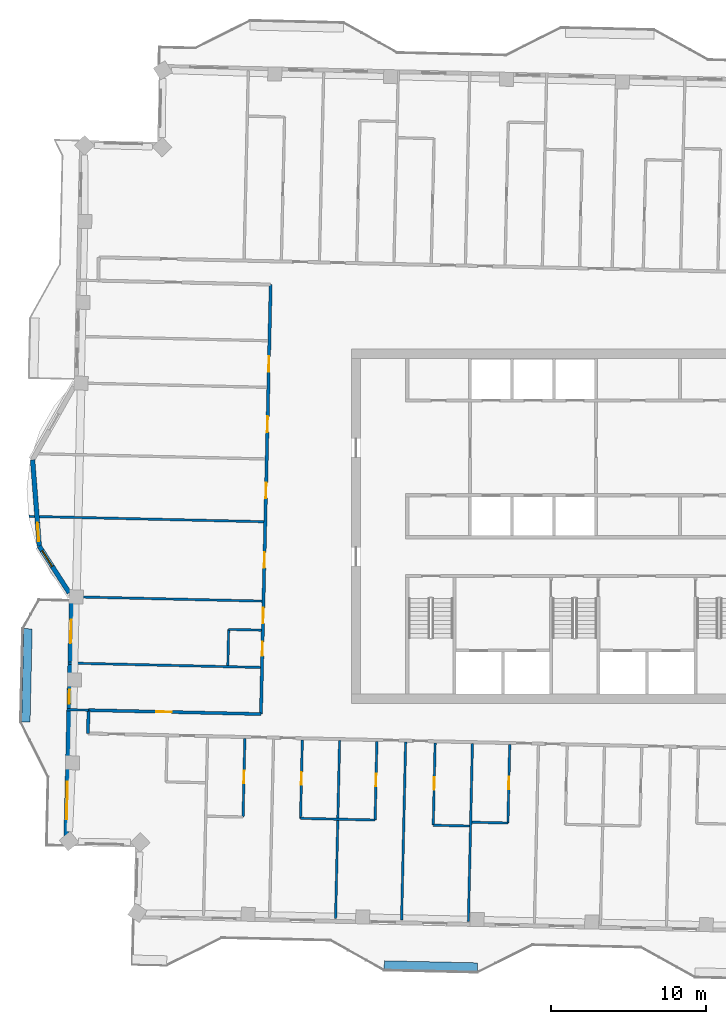
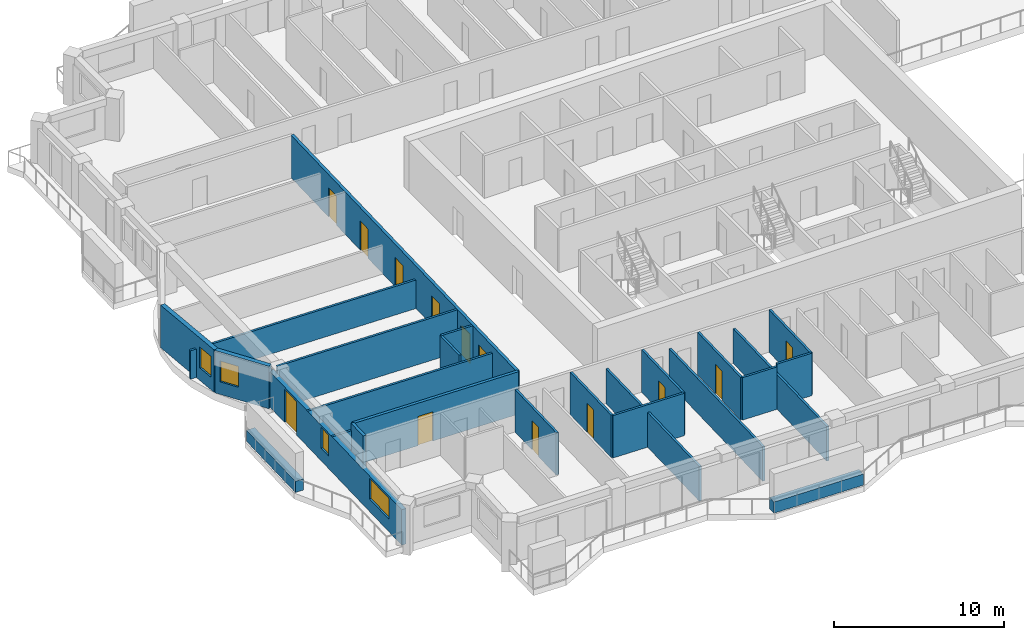
# One storey, part 4 of 15: 25 walls, 13 doors, 4 windows, 17 openings.
"""IFC4 building model written with IfcOpenShell, lengths in metres."""

import ifcopenshell
import ifcopenshell.guid

model = None  # the IFC model being written
_history = None  # IfcOwnerHistory: only IFC2X3 demands one
_inside = {}  # id of a spatial element -> (the spatial element, [elements in it])
_under = {}  # id of a project, library or spatial element -> (it, [spatial elements below it])
_declared = {}  # id of a project -> (the project, [libraries it declares])
_typed = {}  # id of a type object -> (the type object, [elements of that type])
_made_of = {}  # id of a material, layer set ... -> (it, [elements and type objects made of it])


def new_model(schema):
    """Start an empty IFC model of exactly this schema.

    Asked for "IFC4X3", IfcOpenShell would pick the latest addendum, in which some entities
    have other attributes; the version numbers below select the first issue.
    IFC2X3 requires an IfcOwnerHistory on every rooted entity: one is made here for all.
    """
    global model, _history
    if schema == "IFC4X3":
        model = ifcopenshell.file(schema_version=(4, 3, 0, 0))
    else:
        model = ifcopenshell.file(schema=schema)
    _inside.clear()
    _under.clear()
    _declared.clear()
    _typed.clear()
    _made_of.clear()
    _history = None
    if model.schema == "IFC2X3":
        org = make("IfcOrganization", Name="unknown")
        user = make(
            "IfcPersonAndOrganization",
            ThePerson=make("IfcPerson", FamilyName="unknown"),
            TheOrganization=org,
        )
        app = make(
            "IfcApplication",
            ApplicationDeveloper=org,
            Version="unknown",
            ApplicationFullName="unknown",
            ApplicationIdentifier="unknown",
        )
        _history = make(
            "IfcOwnerHistory",
            OwningUser=user,
            OwningApplication=app,
            ChangeAction="ADDED",
            CreationDate=0,
        )
    return model


def make(cls, **values):
    """One entity of the class cls with the attributes given. An attribute that is None is left unset."""
    return model.create_entity(
        cls, **{name: value for name, value in values.items() if value is not None}
    )


def rooted(cls, **values):
    """An entity with a GlobalId (a new one), such as an element, a storey or a relation."""
    return make(cls, GlobalId=ifcopenshell.guid.new(), OwnerHistory=_history, **values)


def si_unit(unit_type, name, prefix=None):
    """IfcSIUnit, for example si_unit("LENGTHUNIT", "METRE", prefix="MILLI")."""
    return make("IfcSIUnit", UnitType=unit_type, Prefix=prefix, Name=name)


def assignment(units):
    """IfcUnitAssignment: the units of a project."""
    return None if units is None else make("IfcUnitAssignment", Units=units)


def point(xyz):
    """IfcCartesianPoint."""
    return None if xyz is None else make("IfcCartesianPoint", Coordinates=xyz)


def direction(xyz):
    """IfcDirection."""
    return None if xyz is None else make("IfcDirection", DirectionRatios=xyz)


def frame(location, z_axis=None, x_axis=None):
    """IfcAxis2Placement3D, a coordinate frame: its origin and axes. An axis left out is left unset."""
    return make(
        "IfcAxis2Placement3D",
        Location=point(location),
        Axis=direction(z_axis),
        RefDirection=direction(x_axis),
    )


def frame_2d(location, x_axis=None):
    """IfcAxis2Placement2D, a coordinate frame in the plane: its origin and x axis."""
    return make(
        "IfcAxis2Placement2D", Location=point(location), RefDirection=direction(x_axis)
    )


def origin():
    """The frame at (0, 0, 0) with its axes left unset."""
    return frame((0.0, 0.0, 0.0))


def place(relative_to, where):
    """IfcLocalPlacement: puts the frame where relative to a parent placement (None: the world)."""
    return make(
        "IfcLocalPlacement", PlacementRelTo=relative_to, RelativePlacement=where
    )


def context(
    kind, dimensions, precision=None, world=None, true_north=None, identifier=None
):
    """IfcGeometricRepresentationContext, for example the 3D "Model" context."""
    return make(
        "IfcGeometricRepresentationContext",
        ContextIdentifier=identifier,
        ContextType=kind,
        CoordinateSpaceDimension=dimensions,
        Precision=precision,
        WorldCoordinateSystem=world,
        TrueNorth=true_north,
    )


def subcontext(parent, identifier, kind, view, scale=None):
    """IfcGeometricRepresentationSubContext, for example "Body" below "Model"."""
    return make(
        "IfcGeometricRepresentationSubContext",
        ContextIdentifier=identifier,
        ContextType=kind,
        ParentContext=parent,
        TargetScale=scale,
        TargetView=view,
    )


def project(units=None, contexts=None):
    """IfcProject with its units and contexts."""
    return rooted(
        "IfcProject",
        Name="project",
        RepresentationContexts=contexts,
        UnitsInContext=assignment(units),
    )


def spatial(cls, under=None, at=None, **own):
    """A site, building, storey or space (cls), placed at a placement, below another one or the project."""
    s = rooted(cls, ObjectPlacement=at, **own)
    if under is not None:
        _under.setdefault(under.id(), (under, []))[1].append(s)
    return s


def profile(cls, at=None, kind="AREA", **sizes):
    """A parametric profile (cls). Its sizes go by their IFC names, for example OverallWidth=200.0."""
    return make(cls, ProfileType=kind, Position=at, **sizes)


def rectangle(**sizes):
    """IfcRectangleProfileDef."""
    return profile("IfcRectangleProfileDef", **sizes)


def extrude(swept, where, along, depth):
    """IfcExtrudedAreaSolid: the profile swept, set in the frame where, extruded along a direction by depth."""
    return make(
        "IfcExtrudedAreaSolid",
        SweptArea=swept,
        Position=where,
        ExtrudedDirection=direction(along),
        Depth=depth,
    )


def shape(context_of_items, identifier, shape_type, items):
    """IfcShapeRepresentation: the items that make up one representation, for example the "Body"."""
    return make(
        "IfcShapeRepresentation",
        ContextOfItems=context_of_items,
        RepresentationIdentifier=identifier,
        RepresentationType=shape_type,
        Items=items,
    )


def material(Name=None, Category=None):
    """IfcMaterial."""
    return make("IfcMaterial", Name=Name, Category=Category)


def layer(
    of_material, thickness, ventilated=None, Name=None, Category=None, Priority=None
):
    """IfcMaterialLayer: one layer of a wall or slab, of a material (None: an air gap)."""
    return make(
        "IfcMaterialLayer",
        Material=of_material,
        LayerThickness=thickness,
        IsVentilated=ventilated,
        Name=Name,
        Category=Category,
        Priority=Priority,
    )


def layer_set(layers, Name=None):
    """IfcMaterialLayerSet."""
    return make("IfcMaterialLayerSet", MaterialLayers=layers, LayerSetName=Name)


def made_of(thing, what):
    """Note that an element or type object is made of a material, layer set ...; save() writes the relation."""
    if what is not None:
        _made_of.setdefault(what.id(), (what, []))[1].append(thing)
    return thing


def type_object(cls, material=None, **own):
    """A type object (cls), such as IfcWallType, which elements share."""
    return made_of(rooted(cls, **own), material)


def element(
    cls,
    number,
    at=None,
    inside=None,
    cuts=None,
    type_object=None,
    material=None,
    context=None,
    identifier="Body",
    shape_type=None,
    held_by="IfcProductDefinitionShape",
    body=None,
    shapes=None,
    **own,
):
    """One element of the class cls, such as IfcWall. Its Tag is "e" and its number.

    at: its placement. inside: the storey or other place that contains it. cuts: it is an
    opening in that element (IfcRelVoidsElement). A single representation is given by context,
    identifier, shape_type and body (its items); several are given by shapes. held_by: the class
    of the entity that holds the representations. save() writes the other relations.
    """
    e = rooted(cls, Tag="e%d" % number, ObjectPlacement=at, **own)
    if body is not None:
        shapes = [shape(context, identifier, shape_type, body)]
    if shapes is not None:
        e.Representation = make(held_by, Representations=shapes)
    if inside is not None:
        _inside.setdefault(inside.id(), (inside, []))[1].append(e)
    if cuts is not None:
        rooted(
            "IfcRelVoidsElement", RelatingBuildingElement=cuts, RelatedOpeningElement=e
        )
    if type_object is not None:
        _typed.setdefault(type_object.id(), (type_object, []))[1].append(e)
    return made_of(e, material)


def fill(opening, filler):
    """IfcRelFillsElement: the door or window that sits in an opening."""
    return rooted(
        "IfcRelFillsElement",
        RelatingOpeningElement=opening,
        RelatedBuildingElement=filler,
    )


def aggregate(whole, parts):
    """IfcRelAggregates: a whole, such as a stair, and the parts it consists of."""
    return rooted("IfcRelAggregates", RelatingObject=whole, RelatedObjects=parts)


def save(model, path):
    """Write the relations noted so far, then the file.

    IfcRelAggregates (storeys below a building ...), IfcRelContainedInSpatialStructure (elements
    in a storey), IfcRelDefinesByType, IfcRelAssociatesMaterial and IfcRelDeclares: one each for
    every whole, place, type object, material and project.
    """
    for whole, parts in _under.values():
        aggregate(whole, parts)
    for where, things in _inside.values():
        rooted(
            "IfcRelContainedInSpatialStructure",
            RelatedElements=things,
            RelatingStructure=where,
        )
    for kind, things in _typed.values():
        rooted("IfcRelDefinesByType", RelatedObjects=things, RelatingType=kind)
    for what, things in _made_of.values():
        rooted("IfcRelAssociatesMaterial", RelatedObjects=things, RelatingMaterial=what)
    for by, libraries in _declared.values():
        rooted("IfcRelDeclares", RelatingContext=by, RelatedDefinitions=libraries)
    model.write(path)


model = new_model("IFC4")

# Units and contexts
model_context = context("Model", 3, precision=1e-05, world=origin(), true_north=direction((0.0, 1.0)))
body_context = subcontext(model_context, "Body", "Model", "MODEL_VIEW")
ifc_project = project(units=[si_unit("LENGTHUNIT", "METRE"), si_unit("AREAUNIT", "SQUARE_METRE"), si_unit("VOLUMEUNIT", "CUBIC_METRE"), si_unit("PLANEANGLEUNIT", "RADIAN"), si_unit("MASSUNIT", "GRAM", prefix="KILO")], contexts=[model_context])

# Site, building, storey
site_placement = place(None, origin())
site = spatial("IfcSite", under=ifc_project, at=site_placement, CompositionType="ELEMENT")
building_placement = place(site_placement, origin())
building = spatial("IfcBuilding", under=site, at=building_placement, Name="Mangrove Gate Tower", CompositionType="ELEMENT")
storey_placement = place(building_placement, frame((0.0, 0.0, 309.699951171875)))
storey = spatial("IfcBuildingStorey", under=building, at=storey_placement, Name="L79", CompositionType="ELEMENT", Elevation=309.699951171875)

# Wall
ifc_material_1 = material(Name="Gypsum board on steel stud, EI 60", Category="steel")
ifc_layer_1 = layer(ifc_material_1, 0.199951171875)
ifc_layer_set_1 = layer_set([ifc_layer_1], Name="Corridor wall EI 60")
wall_type_1 = type_object("IfcWallType", Name="Corridor wall EI 60", PredefinedType="PARTITIONING", material=ifc_layer_set_1)
wall_1_placement = place(storey_placement, frame((-31.346923828125, -13.3291015625, 0.0), z_axis=(0.0, 0.0, 1.0), x_axis=(0.022617910375, 0.999744182344, 0.0)))
element("IfcWall", 1, at=wall_1_placement, inside=storey, type_object=wall_type_1, Name="WALL-L79-035", PredefinedType="PARTITIONING", context=body_context, shape_type="SweptSolid", body=[
    extrude(rectangle(XDim=1.50048828125, YDim=0.199951171875, at=frame_2d((0.750244140625, 0.0))), origin(), (0.0, 0.0, 1.0), 3.050048828125),
])

# Wall, opening, door
wall_2_placement = place(storey_placement, frame((-31.31298828125, -11.8291015625, 0.0), z_axis=(0.0, 0.0, 1.0), x_axis=(0.999742346277, -0.022698921993, 0.0)))
wall_2 = element("IfcWall", 2, at=wall_2_placement, inside=storey, type_object=wall_type_1, Name="WALL-L79-038", PredefinedType="PARTITIONING", context=body_context, shape_type="SweptSolid", body=[
    extrude(rectangle(XDim=11.099853515625, YDim=0.199951171875, at=frame_2d((5.5498046875, 0.0))), origin(), (0.0, 0.0, 1.0), 3.050048828125),
])
opening_1_placement = place(wall_2_placement, frame((4.35009765625, 0.0, 0.0)))
opening_1 = element("IfcOpeningElement", 3, at=opening_1_placement, cuts=wall_2, Name="Opening AD", PredefinedType="OPENING", context=body_context, shape_type="SweptSolid", body=[
    extrude(rectangle(XDim=1.0, YDim=2.10009765625, at=frame_2d((0.5, 1.050048828125))), frame((0.0, 0.10986328125, 0.0), z_axis=(0.0, -1.0, 0.0), x_axis=(1.0, 0.0, 0.0)), (0.0, 0.0, 1.0), 0.219970703125),
])
ifc_material_2 = material(Name="Timber door leaf", Category="wood")
door_type_1 = type_object("IfcDoorType", Name="Amenity door 1000", OperationType="SINGLE_SWING_LEFT", PredefinedType="DOOR", material=ifc_material_2)
door_1_placement = place(opening_1_placement, origin())
door_1 = element("IfcDoor", 4, at=door_1_placement, inside=storey, type_object=door_type_1, Name="DOOR-L79-STU-c5b", OperationType="SINGLE_SWING_LEFT", OverallHeight=2.10009765625, OverallWidth=1.0, PredefinedType="DOOR", context=body_context, shape_type="SweptSolid", body=[
    extrude(rectangle(XDim=1.0, YDim=2.10009765625, at=frame_2d((0.5, 1.050048828125))), frame((0.0, 0.02490234375, 0.0), z_axis=(0.0, -1.0, 0.0), x_axis=(1.0, 0.0, 0.0)), (0.0, 0.0, 1.0), 0.050048828125),
])
fill(opening_1, door_1)

# Wall, openings, doors
wall_3_placement = place(storey_placement, frame((-20.216064453125, -12.0810546875, 0.0), z_axis=(0.0, 0.0, 1.0), x_axis=(0.02267447203, 0.999742901109, 0.0)))
wall_3 = element("IfcWall", 5, at=wall_3_placement, inside=storey, type_object=wall_type_1, Name="WALL-L79-039", PredefinedType="PARTITIONING", context=body_context, shape_type="SweptSolid", body=[
    extrude(rectangle(XDim=27.650146484375, YDim=0.199951171875, at=frame_2d((13.8251953125, 0.0))), origin(), (0.0, 0.0, 1.0), 3.050048828125),
])
opening_2_placement = place(wall_3_placement, frame((22.02490234375, 0.0, 0.0)))
opening_2 = element("IfcOpeningElement", 6, at=opening_2_placement, cuts=wall_3, Name="Opening AD", PredefinedType="OPENING", context=body_context, shape_type="SweptSolid", body=[
    extrude(rectangle(XDim=1.0, YDim=2.10009765625, at=frame_2d((0.5, 1.050048828125))), frame((0.0, 0.10986328125, 0.0), z_axis=(0.0, -1.0, 0.0), x_axis=(1.0, 0.0, 0.0)), (0.0, 0.0, 1.0), 0.219970703125),
])
opening_3_placement = place(wall_3_placement, frame((18.155029296875, 0.0, 0.0)))
opening_3 = element("IfcOpeningElement", 7, at=opening_3_placement, cuts=wall_3, Name="Opening AD", PredefinedType="OPENING", context=body_context, shape_type="SweptSolid", body=[
    extrude(rectangle(XDim=1.0, YDim=2.10009765625, at=frame_2d((0.5, 1.050048828125))), frame((0.0, 0.10986328125, 0.0), z_axis=(0.0, -1.0, 0.0), x_axis=(1.0, 0.0, 0.0)), (0.0, 0.0, 1.0), 0.219970703125),
])
opening_4_placement = place(wall_3_placement, frame((13.89794921875, 0.0, 0.0)))
opening_4 = element("IfcOpeningElement", 8, at=opening_4_placement, cuts=wall_3, Name="Opening AD", PredefinedType="OPENING", context=body_context, shape_type="SweptSolid", body=[
    extrude(rectangle(XDim=1.0, YDim=2.10009765625, at=frame_2d((0.5, 1.050048828125))), frame((0.0, 0.10986328125, 0.0), z_axis=(0.0, -1.0, 0.0), x_axis=(1.0, 0.0, 0.0)), (0.0, 0.0, 1.0), 0.219970703125),
])
opening_5_placement = place(wall_3_placement, frame((9.405029296875, 0.0, 0.0)))
opening_5 = element("IfcOpeningElement", 9, at=opening_5_placement, cuts=wall_3, Name="Opening AD", PredefinedType="OPENING", context=body_context, shape_type="SweptSolid", body=[
    extrude(rectangle(XDim=1.0, YDim=2.10009765625, at=frame_2d((0.5, 1.050048828125))), frame((0.0, 0.10986328125, 0.0), z_axis=(0.0, -1.0, 0.0), x_axis=(1.0, 0.0, 0.0)), (0.0, 0.0, 1.0), 0.219970703125),
])
opening_6_placement = place(wall_3_placement, frame((5.8369140625, 0.0, 0.0)))
opening_6 = element("IfcOpeningElement", 10, at=opening_6_placement, cuts=wall_3, Name="Opening AD", PredefinedType="OPENING", context=body_context, shape_type="SweptSolid", body=[
    extrude(rectangle(XDim=1.0, YDim=2.10009765625, at=frame_2d((0.5, 1.050048828125))), frame((0.0, 0.10986328125, 0.0), z_axis=(0.0, -1.0, 0.0), x_axis=(1.0, 0.0, 0.0)), (0.0, 0.0, 1.0), 0.219970703125),
])
opening_7_placement = place(wall_3_placement, frame((3.75, 0.0, 0.0)))
opening_7 = element("IfcOpeningElement", 11, at=opening_7_placement, cuts=wall_3, Name="Opening SD", PredefinedType="OPENING", context=body_context, shape_type="SweptSolid", body=[
    extrude(rectangle(XDim=0.89990234375, YDim=2.10009765625, at=frame_2d((0.449951171875, 1.050048828125))), frame((0.0, 0.10986328125, 0.0), z_axis=(0.0, -1.0, 0.0), x_axis=(1.0, 0.0, 0.0)), (0.0, 0.0, 1.0), 0.219970703125),
])
door_2_placement = place(opening_2_placement, origin())
door_2 = element("IfcDoor", 12, at=door_2_placement, inside=storey, type_object=door_type_1, Name="DOOR-L79-STU-c5a", OperationType="SINGLE_SWING_RIGHT", OverallHeight=2.10009765625, OverallWidth=1.0, PredefinedType="DOOR", context=body_context, shape_type="SweptSolid", body=[
    extrude(rectangle(XDim=1.0, YDim=2.10009765625, at=frame_2d((0.5, 1.050048828125))), frame((0.0, 0.02490234375, 0.0), z_axis=(0.0, -1.0, 0.0), x_axis=(1.0, 0.0, 0.0)), (0.0, 0.0, 1.0), 0.050048828125),
])
fill(opening_2, door_2)
door_3_placement = place(opening_3_placement, origin())
door_3 = element("IfcDoor", 13, at=door_3_placement, inside=storey, type_object=door_type_1, Name="DOOR-L79-KIT-c5c", OperationType="SINGLE_SWING_LEFT", OverallHeight=2.10009765625, OverallWidth=1.0, PredefinedType="DOOR", context=body_context, shape_type="SweptSolid", body=[
    extrude(rectangle(XDim=1.0, YDim=2.10009765625, at=frame_2d((0.5, 1.050048828125))), frame((0.0, 0.02490234375, 0.0), z_axis=(0.0, -1.0, 0.0), x_axis=(1.0, 0.0, 0.0)), (0.0, 0.0, 1.0), 0.050048828125),
])
fill(opening_3, door_3)
door_4_placement = place(opening_4_placement, origin())
door_4 = element("IfcDoor", 14, at=door_4_placement, inside=storey, type_object=door_type_1, Name="DOOR-L79-KIT-c5d", OperationType="SINGLE_SWING_RIGHT", OverallHeight=2.10009765625, OverallWidth=1.0, PredefinedType="DOOR", context=body_context, shape_type="SweptSolid", body=[
    extrude(rectangle(XDim=1.0, YDim=2.10009765625, at=frame_2d((0.5, 1.050048828125))), frame((0.0, 0.02490234375, 0.0), z_axis=(0.0, -1.0, 0.0), x_axis=(1.0, 0.0, 0.0)), (0.0, 0.0, 1.0), 0.050048828125),
])
fill(opening_4, door_4)
door_5_placement = place(opening_5_placement, origin())
door_5 = element("IfcDoor", 15, at=door_5_placement, inside=storey, type_object=door_type_1, Name="DOOR-L79-LNG-c5a", OperationType="SINGLE_SWING_LEFT", OverallHeight=2.10009765625, OverallWidth=1.0, PredefinedType="DOOR", context=body_context, shape_type="SweptSolid", body=[
    extrude(rectangle(XDim=1.0, YDim=2.10009765625, at=frame_2d((0.5, 1.050048828125))), frame((0.0, 0.02490234375, 0.0), z_axis=(0.0, -1.0, 0.0), x_axis=(1.0, 0.0, 0.0)), (0.0, 0.0, 1.0), 0.050048828125),
])
fill(opening_5, door_5)
door_6_placement = place(opening_6_placement, origin())
door_6 = element("IfcDoor", 16, at=door_6_placement, inside=storey, type_object=door_type_1, Name="DOOR-L79-KIT-c5e", OperationType="SINGLE_SWING_RIGHT", OverallHeight=2.10009765625, OverallWidth=1.0, PredefinedType="DOOR", context=body_context, shape_type="SweptSolid", body=[
    extrude(rectangle(XDim=1.0, YDim=2.10009765625, at=frame_2d((0.5, 1.050048828125))), frame((0.0, 0.02490234375, 0.0), z_axis=(0.0, -1.0, 0.0), x_axis=(1.0, 0.0, 0.0)), (0.0, 0.0, 1.0), 0.050048828125),
])
fill(opening_6, door_6)
ifc_material_3 = material(Name="Timber door leaf", Category="wood")
door_type_2 = type_object("IfcDoorType", Name="Service room door 900", OperationType="SINGLE_SWING_LEFT", PredefinedType="DOOR", material=ifc_material_3)
door_7_placement = place(opening_7_placement, origin())
door_7 = element("IfcDoor", 17, at=door_7_placement, inside=storey, type_object=door_type_2, Name="DOOR-L79-LIN-c5a", OperationType="SINGLE_SWING_LEFT", OverallHeight=2.10009765625, OverallWidth=0.89990234375, PredefinedType="DOOR", context=body_context, shape_type="SweptSolid", body=[
    extrude(rectangle(XDim=0.89990234375, YDim=2.10009765625, at=frame_2d((0.449951171875, 1.050048828125))), frame((0.0, 0.02490234375, 0.0), z_axis=(0.0, -1.0, 0.0), x_axis=(1.0, 0.0, 0.0)), (0.0, 0.0, 1.0), 0.050048828125),
])
fill(opening_7, door_7)

# Wall, opening, window
ifc_material_4 = material(Name="Limestone", Category="masonry")
ifc_layer_2 = layer(ifc_material_4, 0.0400390625, Name="Limestone cladding")
ifc_material_5 = material(Name="Ventilated air gap")
ifc_layer_3 = layer(ifc_material_5, 0.0400390625, Name="Ventilated cavity")
ifc_material_6 = material(Name="Mineral wool insulation")
ifc_layer_4 = layer(ifc_material_6, 0.06005859375, Name="Insulation")
ifc_material_7 = material(Name="Breather membrane")
ifc_layer_5 = layer(ifc_material_7, 0.001953125, Name="Breather membrane")
ifc_material_8 = material(Name="Concrete C20/25 blockwork", Category="masonry")
ifc_layer_6 = layer(ifc_material_8, 0.14990234375, Name="Blockwork backing wall")
ifc_material_9 = material(Name="Gypsum plaster")
ifc_layer_7 = layer(ifc_material_9, 0.008056640625, Name="Internal plaster")
ifc_layer_set_2 = layer_set([ifc_layer_2, ifc_layer_3, ifc_layer_4, ifc_layer_5, ifc_layer_6, ifc_layer_7], Name="External wall 300 limestone cladding")
wall_type_2 = type_object("IfcWallType", Name="External wall 300 limestone cladding", PredefinedType="SOLIDWALL", material=ifc_layer_set_2)
wall_4_placement = place(storey_placement, frame((-34.910888671875, 4.280029296875, 0.0), z_axis=(0.0, 0.0, 1.0), x_axis=(0.077135284219, -0.997020635658, 0.0)))
wall_4 = element("IfcWall", 18, at=wall_4_placement, inside=storey, type_object=wall_type_2, Name="WALL-L79-W9f2", PredefinedType="SOLIDWALL", context=body_context, shape_type="SweptSolid", body=[
    extrude(rectangle(XDim=5.57373046875, YDim=0.300048828125, at=frame_2d((2.786865234375, 0.0))), origin(), (0.0, 0.0, 1.0), 3.050048828125),
])
opening_8_placement = place(wall_4_placement, frame((4.05810546875, 0.0, 0.89990234375)))
opening_8 = element("IfcOpeningElement", 19, at=opening_8_placement, cuts=wall_4, Name="Opening W1", PredefinedType="OPENING", context=body_context, shape_type="SweptSolid", body=[
    extrude(rectangle(XDim=1.199951171875, YDim=1.5, at=frame_2d((0.60009765625, 0.75))), frame((0.0, 0.159912109375, 0.0), z_axis=(0.0, -1.0, 0.0), x_axis=(1.0, 0.0, 0.0)), (0.0, 0.0, 1.0), 0.320068359375),
])
ifc_material_10 = material(Name="Aluminium frame with double-glazed low-e glass", Category="aluminium")
window_type_1 = type_object("IfcWindowType", Name="Side lite 1200x1500", PartitioningType="SINGLE_PANEL", PredefinedType="WINDOW", material=ifc_material_10)
window_1_placement = place(opening_8_placement, origin())
window_1 = element("IfcWindow", 20, at=window_1_placement, inside=storey, type_object=window_type_1, Name="WIN-L79-W9f2", OverallHeight=1.5, OverallWidth=1.199951171875, PartitioningType="SINGLE_PANEL", PredefinedType="WINDOW", context=body_context, shape_type="SweptSolid", body=[
    extrude(rectangle(XDim=1.199951171875, YDim=1.5, at=frame_2d((0.60009765625, 0.75))), frame((0.0, 0.030029296875, 0.0), z_axis=(0.0, -1.0, 0.0), x_axis=(1.0, 0.0, 0.0)), (0.0, 0.0, 1.0), 0.06005859375),
])
fill(opening_8, window_1)

wall_5_placement = place(storey_placement, frame((-34.48095703125, -1.277099609375, 0.0), z_axis=(0.0, 0.0, 1.0), x_axis=(0.540460234606, -0.841369558999, 0.0)))
wall_5 = element("IfcWall", 21, at=wall_5_placement, inside=storey, type_object=wall_type_2, Name="WALL-L79-W9f3", PredefinedType="SOLIDWALL", context=body_context, shape_type="SweptSolid", body=[
    extrude(rectangle(XDim=3.569091796875, YDim=0.300048828125, at=frame_2d((1.78466796875, 0.0))), origin(), (0.0, 0.0, 1.0), 3.050048828125),
])
opening_9_placement = place(wall_5_placement, frame((0.337890625, 0.0, 0.89990234375)))
opening_9 = element("IfcOpeningElement", 22, at=opening_9_placement, cuts=wall_5, Name="Opening W1", PredefinedType="OPENING", context=body_context, shape_type="SweptSolid", body=[
    extrude(rectangle(XDim=1.199951171875, YDim=1.5, at=frame_2d((0.60009765625, 0.75))), frame((0.0, 0.159912109375, 0.0), z_axis=(0.0, -1.0, 0.0), x_axis=(1.0, 0.0, 0.0)), (0.0, 0.0, 1.0), 0.320068359375),
])
window_2_placement = place(opening_9_placement, origin())
window_2 = element("IfcWindow", 23, at=window_2_placement, inside=storey, type_object=window_type_1, Name="WIN-L79-W9f3", OverallHeight=1.5, OverallWidth=1.199951171875, PartitioningType="SINGLE_PANEL", PredefinedType="WINDOW", context=body_context, shape_type="SweptSolid", body=[
    extrude(rectangle(XDim=1.199951171875, YDim=1.5, at=frame_2d((0.60009765625, 0.75))), frame((0.0, 0.030029296875, 0.0), z_axis=(0.0, -1.0, 0.0), x_axis=(1.0, 0.0, 0.0)), (0.0, 0.0, 1.0), 0.06005859375),
])
fill(opening_9, window_2)

# Wall, openings, door, windows
wall_6_placement = place(storey_placement, frame((-32.387939453125, -4.0791015625, 0.0), z_axis=(0.0, 0.0, 1.0), x_axis=(-0.022673163436, -0.999742930788, 0.0)))
wall_6 = element("IfcWall", 24, at=wall_6_placement, inside=storey, type_object=wall_type_2, Name="WALL-L79-W10s1", PredefinedType="SOLIDWALL", context=body_context, shape_type="SweptSolid", body=[
    extrude(rectangle(XDim=16.323974609375, YDim=0.300048828125, at=frame_2d((8.162109375, 0.0))), origin(), (0.0, 0.0, 1.0), 2.550048828125),
])
opening_10_placement = place(wall_6_placement, frame((1.93701171875, 0.0, 0.0)))
opening_10 = element("IfcOpeningElement", 25, at=opening_10_placement, cuts=wall_6, Name="Opening BD1", PredefinedType="OPENING", context=body_context, shape_type="SweptSolid", body=[
    extrude(rectangle(XDim=1.5, YDim=2.39990234375, at=frame_2d((0.75, 1.199951171875))), frame((0.0, 0.159912109375, 0.0), z_axis=(0.0, -1.0, 0.0), x_axis=(1.0, 0.0, 0.0)), (0.0, 0.0, 1.0), 0.320068359375),
])
opening_11_placement = place(wall_6_placement, frame((6.43310546875, 0.0, 0.89990234375)))
opening_11 = element("IfcOpeningElement", 26, at=opening_11_placement, cuts=wall_6, Name="Opening W5", PredefinedType="OPENING", context=body_context, shape_type="SweptSolid", body=[
    extrude(rectangle(XDim=0.89990234375, YDim=1.5, at=frame_2d((0.449951171875, 0.75))), frame((0.0, 0.159912109375, 0.0), z_axis=(0.0, -1.0, 0.0), x_axis=(1.0, 0.0, 0.0)), (0.0, 0.0, 1.0), 0.320068359375),
])
opening_12_placement = place(wall_6_placement, frame((12.364013671875, 0.0, 0.89990234375)))
opening_12 = element("IfcOpeningElement", 27, at=opening_12_placement, cuts=wall_6, Name="Opening W2", PredefinedType="OPENING", context=body_context, shape_type="SweptSolid", body=[
    extrude(rectangle(XDim=2.39990234375, YDim=1.5, at=frame_2d((1.199951171875, 0.75))), frame((0.0, 0.159912109375, 0.0), z_axis=(0.0, -1.0, 0.0), x_axis=(1.0, 0.0, 0.0)), (0.0, 0.0, 1.0), 0.320068359375),
])
ifc_material_11 = material(Name="Aluminium frame with laminated clear glass", Category="aluminium")
door_type_3 = type_object("IfcDoorType", Name="Balcony sliding door 1500x2400", OperationType="SLIDING_TO_LEFT", PredefinedType="DOOR", material=ifc_material_11)
door_8_placement = place(opening_10_placement, origin())
door_8 = element("IfcDoor", 28, at=door_8_placement, inside=storey, type_object=door_type_3, Name="DOOR-L79-W10-1", OperationType="SLIDING_TO_LEFT", OverallHeight=2.39990234375, OverallWidth=1.5, PredefinedType="DOOR", context=body_context, shape_type="SweptSolid", body=[
    extrude(rectangle(XDim=1.5, YDim=2.39990234375, at=frame_2d((0.75, 1.199951171875))), frame((0.0, 0.02490234375, 0.0), z_axis=(0.0, -1.0, 0.0), x_axis=(1.0, 0.0, 0.0)), (0.0, 0.0, 1.0), 0.050048828125),
])
fill(opening_10, door_8)
ifc_material_12 = material(Name="Aluminium frame with double-glazed low-e glass", Category="aluminium")
window_type_2 = type_object("IfcWindowType", Name="Corner room window 2400x1500", PartitioningType="DOUBLE_PANEL_VERTICAL", PredefinedType="WINDOW", material=ifc_material_12)
window_3_placement = place(opening_12_placement, origin())
window_3 = element("IfcWindow", 29, at=window_3_placement, inside=storey, type_object=window_type_2, Name="WIN-L79-W10-3", OverallHeight=1.5, OverallWidth=2.39990234375, PartitioningType="DOUBLE_PANEL_VERTICAL", PredefinedType="WINDOW", context=body_context, shape_type="SweptSolid", body=[
    extrude(rectangle(XDim=2.39990234375, YDim=1.5, at=frame_2d((1.199951171875, 0.75))), frame((0.0, 0.030029296875, 0.0), z_axis=(0.0, -1.0, 0.0), x_axis=(1.0, 0.0, 0.0)), (0.0, 0.0, 1.0), 0.06005859375),
])
fill(opening_12, window_3)
ifc_material_13 = material(Name="Aluminium frame with double-glazed low-e glass", Category="aluminium")
window_type_3 = type_object("IfcWindowType", Name="Narrow window 900x1500", PartitioningType="SINGLE_PANEL", PredefinedType="WINDOW", material=ifc_material_13)
window_4_placement = place(opening_11_placement, origin())
window_4 = element("IfcWindow", 30, at=window_4_placement, inside=storey, type_object=window_type_3, Name="WIN-L79-W10-2", OverallHeight=1.5, OverallWidth=0.89990234375, PartitioningType="SINGLE_PANEL", PredefinedType="WINDOW", context=body_context, shape_type="SweptSolid", body=[
    extrude(rectangle(XDim=0.89990234375, YDim=1.5, at=frame_2d((0.449951171875, 0.75))), frame((0.0, 0.030029296875, 0.0), z_axis=(0.0, -1.0, 0.0), x_axis=(1.0, 0.0, 0.0)), (0.0, 0.0, 1.0), 0.06005859375),
])
fill(opening_11, window_4)

# Walls
ifc_material_14 = material(Name="Gypsum board on steel stud, EI 60", Category="steel")
ifc_layer_8 = layer(ifc_material_14, 0.14990234375)
ifc_layer_set_3 = layer_set([ifc_layer_8], Name="Party wall 150 EI 60")
wall_type_3 = type_object("IfcWallType", Name="Party wall 150 EI 60", PredefinedType="PARTITIONING", material=ifc_layer_set_3)
wall_7_placement = place(storey_placement, frame((-15.4140625, -25.243896484375, 0.0), z_axis=(0.0, 0.0, 1.0), x_axis=(0.022706391805, 0.999742176649, 0.0)))
element("IfcWall", 31, at=wall_7_placement, inside=storey, type_object=wall_type_3, Name="WALL-L79-003", PredefinedType="PARTITIONING", context=body_context, shape_type="SweptSolid", body=[
    extrude(rectangle(XDim=11.450927734375, YDim=0.14990234375, at=frame_2d((5.7255859375, 0.0))), origin(), (0.0, 0.0, 1.0), 2.5),
])
wall_8_placement = place(storey_placement, frame((-11.1650390625, -25.340087890625, 0.0), z_axis=(0.0, 0.0, 1.0), x_axis=(0.022708327922, 0.999742132674, 0.0)))
element("IfcWall", 32, at=wall_8_placement, inside=storey, type_object=wall_type_3, Name="WALL-L79-004", PredefinedType="PARTITIONING", context=body_context, shape_type="SweptSolid", body=[
    extrude(rectangle(XDim=11.449951171875, YDim=0.14990234375, at=frame_2d((5.72509765625, 0.0))), origin(), (0.0, 0.0, 1.0), 2.5),
])
wall_9_placement = place(storey_placement, frame((-6.865966796875, -25.43798828125, 0.0), z_axis=(0.0, 0.0, 1.0), x_axis=(0.022706391805, 0.999742176649, 0.0)))
element("IfcWall", 33, at=wall_9_placement, inside=storey, type_object=wall_type_3, Name="WALL-L79-005", PredefinedType="PARTITIONING", context=body_context, shape_type="SweptSolid", body=[
    extrude(rectangle(XDim=11.450927734375, YDim=0.14990234375, at=frame_2d((5.7255859375, 0.0))), origin(), (0.0, 0.0, 1.0), 2.5),
])
wall_10_placement = place(storey_placement, frame((-9.1259765625, -19.235107421875, 0.0), z_axis=(0.0, 0.0, 1.0), x_axis=(0.999749954681, -0.022361308448, 0.0)))
element("IfcWall", 34, at=wall_10_placement, inside=storey, type_object=wall_type_3, Name="WALL-L79-012", PredefinedType="PARTITIONING", context=body_context, shape_type="SweptSolid", body=[
    extrude(rectangle(XDim=2.325439453125, YDim=0.14990234375, at=frame_2d((1.16259765625, 0.0))), origin(), (0.0, 0.0, 1.0), 3.050048828125),
])

# Wall, opening, door
wall_11_placement = place(storey_placement, frame((-9.1259765625, -19.235107421875, 0.0), z_axis=(0.0, 0.0, 1.0), x_axis=(0.022615729912, 0.999744231672, 0.0)))
wall_11 = element("IfcWall", 35, at=wall_11_placement, inside=storey, type_object=wall_type_3, Name="WALL-L79-013", PredefinedType="PARTITIONING", context=body_context, shape_type="SweptSolid", body=[
    extrude(rectangle(XDim=5.300537109375, YDim=0.14990234375, at=frame_2d((2.650390625, 0.0))), origin(), (0.0, 0.0, 1.0), 3.050048828125),
])
opening_13_placement = place(wall_11_placement, frame((2.300048828125, 0.0, 0.0)))
opening_13 = element("IfcOpeningElement", 36, at=opening_13_placement, cuts=wall_11, Name="Opening ED", PredefinedType="OPENING", context=body_context, shape_type="SweptSolid", body=[
    extrude(rectangle(XDim=0.800048828125, YDim=2.10009765625, at=frame_2d((0.39990234375, 1.050048828125))), frame((0.0, 0.0849609375, 0.0), z_axis=(0.0, -1.0, 0.0), x_axis=(1.0, 0.0, 0.0)), (0.0, 0.0, 1.0), 0.169921875),
])
ifc_material_15 = material(Name="Timber door leaf", Category="wood")
door_type_4 = type_object("IfcDoorType", Name="En-suite door 800", OperationType="SINGLE_SWING_LEFT", PredefinedType="DOOR", material=ifc_material_15)
door_9_placement = place(opening_13_placement, origin())
door_9 = element("IfcDoor", 37, at=door_9_placement, inside=storey, type_object=door_type_4, Name="DOOR-L79-ENS-c104", OperationType="SINGLE_SWING_RIGHT", OverallHeight=2.10009765625, OverallWidth=0.800048828125, PredefinedType="DOOR", context=body_context, shape_type="SweptSolid", body=[
    extrude(rectangle(XDim=0.800048828125, YDim=2.10009765625, at=frame_2d((0.39990234375, 1.050048828125))), frame((0.0, 0.02490234375, 0.0), z_axis=(0.0, -1.0, 0.0), x_axis=(1.0, 0.0, 0.0)), (0.0, 0.0, 1.0), 0.050048828125),
])
fill(opening_13, door_9)

wall_12_placement = place(storey_placement, frame((-21.366943359375, -18.70703125, 0.0), z_axis=(0.0, 0.0, 1.0), x_axis=(0.022768623305, 0.999740761294, 0.0)))
wall_12 = element("IfcWall", 38, at=wall_12_placement, inside=storey, type_object=wall_type_3, Name="WALL-L79-017", PredefinedType="PARTITIONING", context=body_context, shape_type="SweptSolid", body=[
    extrude(rectangle(XDim=5.05029296875, YDim=0.14990234375, at=frame_2d((2.525146484375, 0.0))), origin(), (0.0, 0.0, 1.0), 3.050048828125),
])
opening_14_placement = place(wall_12_placement, frame((2.175048828125, 0.0, 0.0)))
opening_14 = element("IfcOpeningElement", 39, at=opening_14_placement, cuts=wall_12, Name="Opening ED", PredefinedType="OPENING", context=body_context, shape_type="SweptSolid", body=[
    extrude(rectangle(XDim=0.800048828125, YDim=2.10009765625, at=frame_2d((0.39990234375, 1.050048828125))), frame((0.0, 0.0849609375, 0.0), z_axis=(0.0, -1.0, 0.0), x_axis=(1.0, 0.0, 0.0)), (0.0, 0.0, 1.0), 0.169921875),
])
door_10_placement = place(opening_14_placement, origin())
door_10 = element("IfcDoor", 40, at=door_10_placement, inside=storey, type_object=door_type_4, Name="DOOR-L79-ENS-c101", OperationType="SINGLE_SWING_LEFT", OverallHeight=2.10009765625, OverallWidth=0.800048828125, PredefinedType="DOOR", context=body_context, shape_type="SweptSolid", body=[
    extrude(rectangle(XDim=0.800048828125, YDim=2.10009765625, at=frame_2d((0.39990234375, 1.050048828125))), frame((0.0, 0.02490234375, 0.0), z_axis=(0.0, -1.0, 0.0), x_axis=(1.0, 0.0, 0.0)), (0.0, 0.0, 1.0), 0.050048828125),
])
fill(opening_14, door_10)

# Wall
wall_13_placement = place(storey_placement, frame((-17.66796875, -18.791015625, 0.0), z_axis=(0.0, 0.0, 1.0), x_axis=(0.999742701292, -0.022683280499, 0.0)))
element("IfcWall", 41, at=wall_13_placement, inside=storey, type_object=wall_type_3, Name="WALL-L79-018", PredefinedType="PARTITIONING", context=body_context, shape_type="SweptSolid", body=[
    extrude(rectangle(XDim=4.80029296875, YDim=0.14990234375, at=frame_2d((2.400146484375, 0.0))), origin(), (0.0, 0.0, 1.0), 3.050048828125),
])

# Wall, opening, door
wall_14_placement = place(storey_placement, frame((-17.66796875, -18.791015625, 0.0), z_axis=(0.0, 0.0, 1.0), x_axis=(0.022768623305, 0.999740761294, 0.0)))
wall_14 = element("IfcWall", 42, at=wall_14_placement, inside=storey, type_object=wall_type_3, Name="WALL-L79-019", PredefinedType="PARTITIONING", context=body_context, shape_type="SweptSolid", body=[
    extrude(rectangle(XDim=5.05029296875, YDim=0.14990234375, at=frame_2d((2.525146484375, 0.0))), origin(), (0.0, 0.0, 1.0), 3.050048828125),
])
opening_15_placement = place(wall_14_placement, frame((2.175048828125, 0.0, 0.0)))
opening_15 = element("IfcOpeningElement", 43, at=opening_15_placement, cuts=wall_14, Name="Opening ED", PredefinedType="OPENING", context=body_context, shape_type="SweptSolid", body=[
    extrude(rectangle(XDim=0.800048828125, YDim=2.10009765625, at=frame_2d((0.39990234375, 1.050048828125))), frame((0.0, 0.0849609375, 0.0), z_axis=(0.0, -1.0, 0.0), x_axis=(1.0, 0.0, 0.0)), (0.0, 0.0, 1.0), 0.169921875),
])
door_11_placement = place(opening_15_placement, origin())
door_11 = element("IfcDoor", 44, at=door_11_placement, inside=storey, type_object=door_type_4, Name="DOOR-L79-ENS-c102", OperationType="SINGLE_SWING_RIGHT", OverallHeight=2.10009765625, OverallWidth=0.800048828125, PredefinedType="DOOR", context=body_context, shape_type="SweptSolid", body=[
    extrude(rectangle(XDim=0.800048828125, YDim=2.10009765625, at=frame_2d((0.39990234375, 1.050048828125))), frame((0.0, 0.02490234375, 0.0), z_axis=(0.0, -1.0, 0.0), x_axis=(1.0, 0.0, 0.0)), (0.0, 0.0, 1.0), 0.050048828125),
])
fill(opening_15, door_11)

wall_15_placement = place(storey_placement, frame((-12.868896484375, -18.89990234375, 0.0), z_axis=(0.0, 0.0, 1.0), x_axis=(0.022576449265, 0.999745119487, 0.0)))
wall_15 = element("IfcWall", 45, at=wall_15_placement, inside=storey, type_object=wall_type_3, Name="WALL-L79-020", PredefinedType="PARTITIONING", context=body_context, shape_type="SweptSolid", body=[
    extrude(rectangle(XDim=5.050048828125, YDim=0.14990234375, at=frame_2d((2.52490234375, 0.0))), origin(), (0.0, 0.0, 1.0), 3.050048828125),
])
opening_16_placement = place(wall_15_placement, frame((2.175048828125, 0.0, 0.0)))
opening_16 = element("IfcOpeningElement", 46, at=opening_16_placement, cuts=wall_15, Name="Opening ED", PredefinedType="OPENING", context=body_context, shape_type="SweptSolid", body=[
    extrude(rectangle(XDim=0.800048828125, YDim=2.10009765625, at=frame_2d((0.39990234375, 1.050048828125))), frame((0.0, 0.0849609375, 0.0), z_axis=(0.0, -1.0, 0.0), x_axis=(1.0, 0.0, 0.0)), (0.0, 0.0, 1.0), 0.169921875),
])
door_12_placement = place(opening_16_placement, origin())
door_12 = element("IfcDoor", 47, at=door_12_placement, inside=storey, type_object=door_type_4, Name="DOOR-L79-ENS-c103", OperationType="SINGLE_SWING_LEFT", OverallHeight=2.10009765625, OverallWidth=0.800048828125, PredefinedType="DOOR", context=body_context, shape_type="SweptSolid", body=[
    extrude(rectangle(XDim=0.800048828125, YDim=2.10009765625, at=frame_2d((0.39990234375, 1.050048828125))), frame((0.0, 0.02490234375, 0.0), z_axis=(0.0, -1.0, 0.0), x_axis=(1.0, 0.0, 0.0)), (0.0, 0.0, 1.0), 0.050048828125),
])
fill(opening_16, door_12)

# Wall
wall_16_placement = place(storey_placement, frame((-6.64599609375, -19.041015625, 0.0), z_axis=(0.0, 0.0, 1.0), x_axis=(0.999740478815, -0.022781023197, 0.0)))
element("IfcWall", 48, at=wall_16_placement, inside=storey, type_object=wall_type_3, Name="WALL-L79-021", PredefinedType="PARTITIONING", context=body_context, shape_type="SweptSolid", body=[
    extrude(rectangle(XDim=2.325439453125, YDim=0.14990234375, at=frame_2d((1.16259765625, 0.0))), origin(), (0.0, 0.0, 1.0), 3.050048828125),
])

# Wall, opening, door
wall_17_placement = place(storey_placement, frame((-4.321044921875, -19.093994140625, 0.0), z_axis=(0.0, 0.0, 1.0), x_axis=(0.02257535817, 0.999745144126, 0.0)))
wall_17 = element("IfcWall", 49, at=wall_17_placement, inside=storey, type_object=wall_type_3, Name="WALL-L79-022", PredefinedType="PARTITIONING", context=body_context, shape_type="SweptSolid", body=[
    extrude(rectangle(XDim=5.05029296875, YDim=0.14990234375, at=frame_2d((2.525146484375, 0.0))), origin(), (0.0, 0.0, 1.0), 3.050048828125),
])
opening_17_placement = place(wall_17_placement, frame((2.175048828125, 0.0, 0.0)))
opening_17 = element("IfcOpeningElement", 50, at=opening_17_placement, cuts=wall_17, Name="Opening ED", PredefinedType="OPENING", context=body_context, shape_type="SweptSolid", body=[
    extrude(rectangle(XDim=0.800048828125, YDim=2.10009765625, at=frame_2d((0.39990234375, 1.050048828125))), frame((0.0, 0.0849609375, 0.0), z_axis=(0.0, -1.0, 0.0), x_axis=(1.0, 0.0, 0.0)), (0.0, 0.0, 1.0), 0.169921875),
])
door_13_placement = place(opening_17_placement, origin())
door_13 = element("IfcDoor", 51, at=door_13_placement, inside=storey, type_object=door_type_4, Name="DOOR-L79-ENS-c205", OperationType="SINGLE_SWING_LEFT", OverallHeight=2.10009765625, OverallWidth=0.800048828125, PredefinedType="DOOR", context=body_context, shape_type="SweptSolid", body=[
    extrude(rectangle(XDim=0.800048828125, YDim=2.10009765625, at=frame_2d((0.39990234375, 1.050048828125))), frame((0.0, 0.02490234375, 0.0), z_axis=(0.0, -1.0, 0.0), x_axis=(1.0, 0.0, 0.0)), (0.0, 0.0, 1.0), 0.050048828125),
])
fill(opening_17, door_13)

# Walls
wall_18_placement = place(storey_placement, frame((-32.712890625, -11.798095703125, 0.0), z_axis=(0.0, 0.0, 1.0), x_axis=(0.999756172383, -0.022081571112, 0.0)))
element("IfcWall", 52, at=wall_18_placement, inside=storey, type_object=wall_type_3, Name="WALL-L79-037", PredefinedType="PARTITIONING", context=body_context, shape_type="SweptSolid", body=[
    extrude(rectangle(XDim=1.404052734375, YDim=0.14990234375, at=frame_2d((0.7021484375, 0.0))), origin(), (0.0, 0.0, 1.0), 2.550048828125),
])
wall_19_placement = place(storey_placement, frame((-32.64501953125, -8.798095703125, 0.0), z_axis=(0.0, 0.0, 1.0), x_axis=(0.999741408463, -0.022740189192, 0.0)))
element("IfcWall", 53, at=wall_19_placement, inside=storey, type_object=wall_type_3, Name="WALL-L79-043", PredefinedType="PARTITIONING", context=body_context, shape_type="SweptSolid", body=[
    extrude(rectangle(XDim=12.400146484375, YDim=0.14990234375, at=frame_2d((6.2001953125, 0.0))), origin(), (0.0, 0.0, 1.0), 2.550048828125),
])
wall_20_placement = place(storey_placement, frame((-22.345947265625, -8.95703125, 0.0), z_axis=(0.0, 0.0, 1.0), x_axis=(0.02279059109, 0.999740260747, 0.0)))
element("IfcWall", 54, at=wall_20_placement, inside=storey, type_object=wall_type_3, Name="WALL-L79-044", PredefinedType="PARTITIONING", context=body_context, shape_type="SweptSolid", body=[
    extrude(rectangle(XDim=2.324462890625, YDim=0.14990234375, at=frame_2d((1.162109375, 0.0))), origin(), (0.0, 0.0, 1.0), 3.050048828125),
])
wall_21_placement = place(storey_placement, frame((-22.29296875, -6.633056640625, 0.0), z_axis=(0.0, 0.0, 1.0), x_axis=(0.999750703499, -0.022327804475, 0.0)))
element("IfcWall", 55, at=wall_21_placement, inside=storey, type_object=wall_type_3, Name="WALL-L79-045", PredefinedType="PARTITIONING", context=body_context, shape_type="SweptSolid", body=[
    extrude(rectangle(XDim=2.099365234375, YDim=0.14990234375, at=frame_2d((1.0498046875, 0.0))), origin(), (0.0, 0.0, 1.0), 3.050048828125),
])
wall_22_placement = place(storey_placement, frame((-32.248046875, -4.535888671875, 0.0), z_axis=(0.0, 0.0, 1.0), x_axis=(0.999741439573, -0.022738821441, 0.0)))
element("IfcWall", 56, at=wall_22_placement, inside=storey, type_object=wall_type_3, Name="WALL-L79-046", PredefinedType="PARTITIONING", context=body_context, shape_type="SweptSolid", body=[
    extrude(rectangle(XDim=12.100341796875, YDim=0.14990234375, at=frame_2d((6.05029296875, 0.0))), origin(), (0.0, 0.0, 1.0), 3.050048828125),
])
wall_23_placement = place(storey_placement, frame((-35.154052734375, 0.64111328125, 0.0), z_axis=(0.0, 0.0, 1.0), x_axis=(0.99974273487, -0.022681800518, 0.0)))
element("IfcWall", 57, at=wall_23_placement, inside=storey, type_object=wall_type_3, Name="WALL-L79-047", PredefinedType="PARTITIONING", context=body_context, shape_type="SweptSolid", body=[
    extrude(rectangle(XDim=15.123046875, YDim=0.14990234375, at=frame_2d((7.5615234375, 0.0))), origin(), (0.0, 0.0, 1.0), 2.050048828125),
])
ifc_material_16 = material(Name="Concrete C32/40", Category="concrete")
ifc_layer_9 = layer(ifc_material_16, 0.199951171875, Name="Planter trough wall")
ifc_material_17 = material(Name="Bituminous waterproofing membrane")
ifc_layer_10 = layer(ifc_material_17, 0.0048828125, Name="Waterproofing")
ifc_material_18 = material(Name="Drainage board and gravel")
ifc_layer_11 = layer(ifc_material_18, 0.044921875, Name="Drainage layer")
ifc_material_19 = material(Name="Planting soil")
ifc_layer_12 = layer(ifc_material_19, 0.300048828125, Name="Growing medium")
ifc_layer_set_4 = layer_set([ifc_layer_9, ifc_layer_10, ifc_layer_11, ifc_layer_12], Name="Planter wall 550 C32/40")
wall_type_4 = type_object("IfcWallType", Name="Planter wall 550 C32/40", PredefinedType="USERDEFINED", material=ifc_layer_set_4)
wall_24_placement = place(storey_placement, frame((-35.346923828125, -12.587890625, 0.0), z_axis=(0.0, 0.0, 1.0), x_axis=(0.022663177671, 0.999743157205, 0.0)))
element("IfcWall", 58, at=wall_24_placement, inside=storey, type_object=wall_type_4, Name="PLANTER L79 W1.1", ObjectType="PLANTER", PredefinedType="USERDEFINED", context=body_context, shape_type="SweptSolid", body=[
    extrude(rectangle(XDim=6.000244140625, YDim=0.550048828125, at=frame_2d((3.0, 0.0))), origin(), (0.0, 0.0, 1.0), 0.800048828125),
])
wall_25_placement = place(storey_placement, frame((-12.281005859375, -28.22998046875, 0.0), z_axis=(0.0, 0.0, 1.0), x_axis=(0.999743178102, -0.022662255828, 0.0)))
element("IfcWall", 59, at=wall_25_placement, inside=storey, type_object=wall_type_4, Name="PLANTER L79 S0.2", ObjectType="PLANTER", PredefinedType="USERDEFINED", context=body_context, shape_type="SweptSolid", body=[
    extrude(rectangle(XDim=6.00048828125, YDim=0.550048828125, at=frame_2d((3.000244140625, 0.0))), origin(), (0.0, 0.0, 1.0), 0.800048828125),
])

save(model, "model.ifc")
